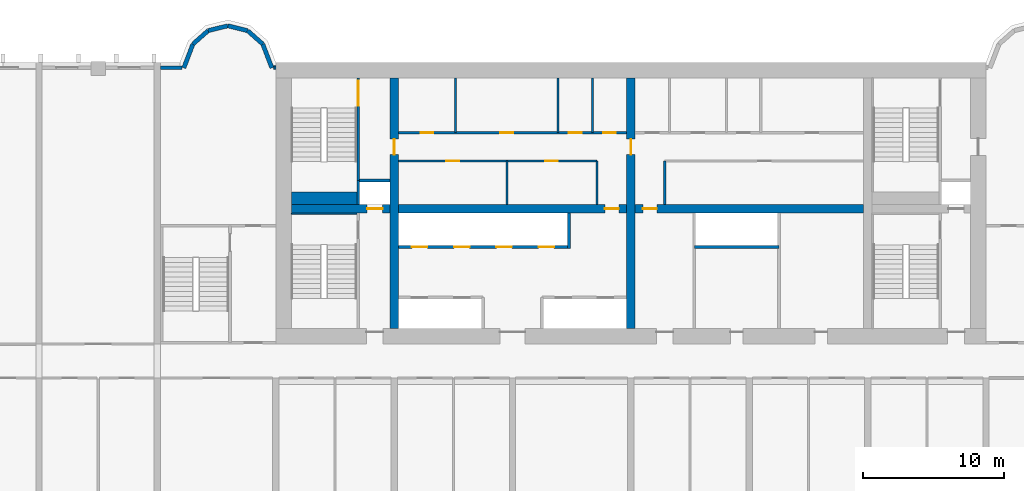
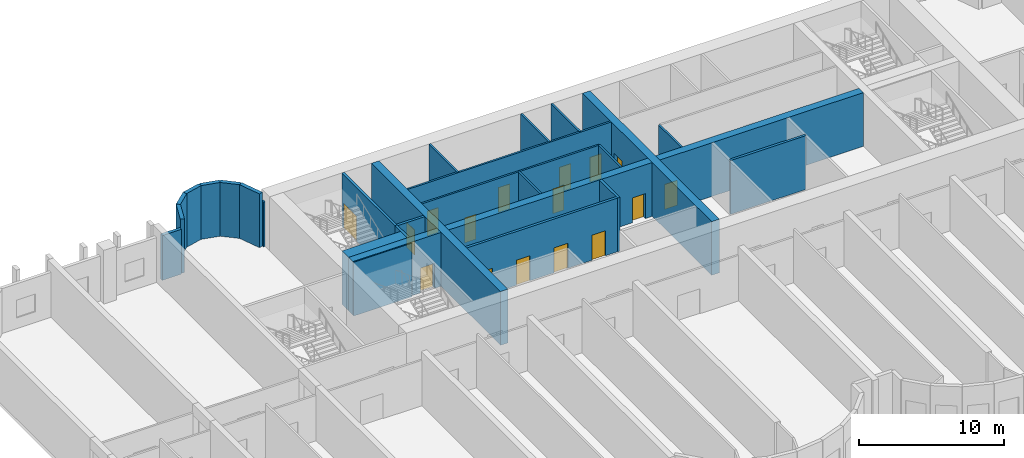
# One storey, part 5 of 10: 29 walls, 16 doors, 16 openings.
"""IFC4 building model written with IfcOpenShell, lengths in metres."""

from ifc_helpers import new_model, si_unit, direction, frame, frame_2d, origin, place, context, subcontext, project, spatial, rectangle, extrude, source, transform, mapped, material, layer, layer_set, type_object, element, fill, save


model = new_model("IFC4")

# Units and contexts
model_context = context("Model", 3, precision=1e-05, world=origin(), true_north=direction((0.0, 1.0)))
body_context = subcontext(model_context, "Body", "Model", "MODEL_VIEW")
ifc_project = project(units=[si_unit("LENGTHUNIT", "METRE"), si_unit("AREAUNIT", "SQUARE_METRE"), si_unit("VOLUMEUNIT", "CUBIC_METRE"), si_unit("PLANEANGLEUNIT", "RADIAN"), si_unit("MASSUNIT", "GRAM", prefix="KILO")], contexts=[model_context])

# Site, building, storey
site_placement = place(None, origin())
site = spatial("IfcSite", under=ifc_project, at=site_placement, CompositionType="ELEMENT")
building_placement = place(site_placement, origin())
building = spatial("IfcBuilding", under=site, at=building_placement, Name="Vanashikhar Sky Hotel", CompositionType="ELEMENT")
storey_placement = place(building_placement, frame((0.0, 0.0, 23.0)))
storey = spatial("IfcBuildingStorey", under=building, at=storey_placement, Name="L04", CompositionType="ELEMENT", Elevation=23.0)

# Wall, opening, door
ifc_material_1 = material(Name="Concrete M80", Category="concrete")
ifc_layer_1 = layer(ifc_material_1, 0.60009765625)
ifc_layer_set_1 = layer_set([ifc_layer_1], Name="RC core inner wall 600 Concrete M80")
wall_type_1 = type_object("IfcWallType", Name="RC core inner wall 600 Concrete M80", PredefinedType="SHEAR", material=ifc_layer_set_1)
shared_shape_1 = source(origin(), body_context, "Body", "SweptSolid", [
    extrude(rectangle(XDim=17.7998046875, YDim=0.60009765625, at=frame_2d((8.89990234375, 0.0))), origin(), (0.0, 0.0, 1.0), 4.52001953125),
])
wall_1_placement = place(storey_placement, frame((33.60009765625, 23.10009765625, 0.0), z_axis=(0.0, 0.0, 1.0), x_axis=(0.0, 1.0, 0.0)))
wall_1 = element("IfcWall", 1, at=wall_1_placement, inside=storey, type_object=wall_type_1, Name="KW-L04-KX1", PredefinedType="SHEAR", context=body_context, shape_type="MappedRepresentation", body=[
    mapped(shared_shape_1, transform((0.0, 0.0, 0.0), scale=1.0)),
])
shared_shape_2 = source(origin(), body_context, "Body", "SweptSolid", [
    extrude(rectangle(XDim=1.10009765625, YDim=2.10009765625, at=frame_2d((0.550048828125, 1.050048828125))), frame((0.0, 0.31005859375, 0.0), z_axis=(0.0, -1.0, 0.0), x_axis=(1.0, 0.0, 0.0)), (0.0, 0.0, 1.0), 0.6201171875),
])
opening_1_placement = place(wall_1_placement, frame((12.35009765625, 0.0, 0.0)))
opening_1 = element("IfcOpeningElement", 2, at=opening_1_placement, cuts=wall_1, Name="Opening DC-4-C", PredefinedType="OPENING", context=body_context, shape_type="MappedRepresentation", body=[
    mapped(shared_shape_2, transform((0.0, 0.0, 0.0), scale=1.0)),
])
ifc_material_2 = material(Name="Steel", Category="steel")
door_type_1 = type_object("IfcDoorType", Name="Service door 1100 FD60", OperationType="NOTDEFINED", PredefinedType="DOOR", material=ifc_material_2)
shared_shape_3 = source(origin(), body_context, "Body", "SweptSolid", [
    extrude(rectangle(XDim=1.10009765625, YDim=2.10009765625, at=frame_2d((0.550048828125, 1.050048828125))), frame((0.0, 0.02490234375, 0.0), z_axis=(0.0, -1.0, 0.0), x_axis=(1.0, 0.0, 0.0)), (0.0, 0.0, 1.0), 0.050048828125),
])
door_1_placement = place(opening_1_placement, origin())
door_1 = element("IfcDoor", 3, at=door_1_placement, inside=storey, type_object=door_type_1, Name="Service door 1100 FD60", OperationType="SINGLE_SWING_LEFT", OverallHeight=2.10009765625, OverallWidth=1.10009765625, PredefinedType="DOOR", context=body_context, shape_type="MappedRepresentation", body=[
    mapped(shared_shape_3, transform((0.0, 0.0, 0.0), scale=1.0)),
])
fill(opening_1, door_1)

wall_2_placement = place(storey_placement, frame((50.39990234375, 23.10009765625, 0.0), z_axis=(0.0, 0.0, 1.0), x_axis=(0.0, 1.0, 0.0)))
wall_2 = element("IfcWall", 4, at=wall_2_placement, inside=storey, type_object=wall_type_1, Name="KW-L04-KX2", PredefinedType="SHEAR", context=body_context, shape_type="MappedRepresentation", body=[
    mapped(shared_shape_1, transform((0.0, 0.0, 0.0), scale=1.0)),
])
opening_2_placement = place(wall_2_placement, frame((12.35009765625, 0.0, 0.0)))
opening_2 = element("IfcOpeningElement", 5, at=opening_2_placement, cuts=wall_2, Name="Opening DC-4-C", PredefinedType="OPENING", context=body_context, shape_type="MappedRepresentation", body=[
    mapped(shared_shape_2, transform((0.0, 0.0, 0.0), scale=1.0)),
])
door_2_placement = place(opening_2_placement, origin())
door_2 = element("IfcDoor", 6, at=door_2_placement, inside=storey, type_object=door_type_1, Name="Service door 1100 FD60", OperationType="SINGLE_SWING_RIGHT", OverallHeight=2.10009765625, OverallWidth=1.10009765625, PredefinedType="DOOR", context=body_context, shape_type="MappedRepresentation", body=[
    mapped(shared_shape_3, transform((0.0, 0.0, 0.0), scale=1.0)),
])
fill(opening_2, door_2)

shared_shape_4 = source(origin(), body_context, "Body", "SweptSolid", [
    extrude(rectangle(XDim=7.0, YDim=0.60009765625, at=frame_2d((3.5, 0.0))), origin(), (0.0, 0.0, 1.0), 4.52001953125),
])
wall_3_placement = place(storey_placement, frame((26.300048828125, 31.60009765625, 0.0), z_axis=(0.0, 0.0, 1.0), x_axis=(1.0, 0.0, 0.0)))
wall_3 = element("IfcWall", 7, at=wall_3_placement, inside=storey, type_object=wall_type_1, Name="KW-L04-KY1", PredefinedType="SHEAR", context=body_context, shape_type="MappedRepresentation", body=[
    mapped(shared_shape_4, transform((0.0, 0.0, 0.0), scale=1.0)),
])
opening_3_placement = place(wall_3_placement, frame((5.375, 0.0, 0.0)))
opening_3 = element("IfcOpeningElement", 8, at=opening_3_placement, cuts=wall_3, Name="Opening LD", PredefinedType="OPENING", context=body_context, shape_type="MappedRepresentation", body=[
    mapped(shared_shape_2, transform((0.0, 0.0, 0.0), scale=1.0)),
])
ifc_material_3 = material(Name="Stainless steel", Category="steel")
door_type_2 = type_object("IfcDoorType", Name="Lift landing door 1100", OperationType="NOTDEFINED", PredefinedType="DOOR", material=ifc_material_3)
door_3_placement = place(opening_3_placement, origin())
door_3 = element("IfcDoor", 9, at=door_3_placement, inside=storey, type_object=door_type_2, Name="Lift landing door 1100", OperationType="SLIDING_TO_RIGHT", OverallHeight=2.10009765625, OverallWidth=1.10009765625, PredefinedType="DOOR", context=body_context, shape_type="MappedRepresentation", body=[
    mapped(shared_shape_3, transform((0.0, 0.0, 0.0), scale=1.0)),
])
fill(opening_3, door_3)

shared_shape_5 = source(origin(), body_context, "Body", "SweptSolid", [
    extrude(rectangle(XDim=16.2001953125, YDim=0.60009765625, at=frame_2d((8.10009765625, 0.0))), origin(), (0.0, 0.0, 1.0), 4.52001953125),
])
wall_4_placement = place(storey_placement, frame((33.89990234375, 31.60009765625, 0.0), z_axis=(0.0, 0.0, 1.0), x_axis=(1.0, 0.0, 0.0)))
wall_4 = element("IfcWall", 10, at=wall_4_placement, inside=storey, type_object=wall_type_1, Name="KW-L04-KY2", PredefinedType="SHEAR", context=body_context, shape_type="MappedRepresentation", body=[
    mapped(shared_shape_5, transform((0.0, 0.0, 0.0), scale=1.0)),
])
shared_shape_6 = source(origin(), body_context, "Body", "SweptSolid", [
    extrude(rectangle(XDim=1.0, YDim=2.10009765625, at=frame_2d((0.5, 1.050048828125))), frame((0.0, 0.31005859375, 0.0), z_axis=(0.0, -1.0, 0.0), x_axis=(1.0, 0.0, 0.0)), (0.0, 0.0, 1.0), 0.6201171875),
])
opening_4_placement = place(wall_4_placement, frame((14.64990234375, 0.0, 0.0)))
opening_4 = element("IfcOpeningElement", 11, at=opening_4_placement, cuts=wall_4, Name="Opening DC-4", PredefinedType="OPENING", context=body_context, shape_type="MappedRepresentation", body=[
    mapped(shared_shape_6, transform((0.0, 0.0, 0.0), scale=1.0)),
])
door_type_3 = type_object("IfcDoorType", Name="Service door 1000 FD60", OperationType="NOTDEFINED", PredefinedType="DOOR", material=ifc_material_2)
shared_shape_7 = source(origin(), body_context, "Body", "SweptSolid", [
    extrude(rectangle(XDim=1.0, YDim=2.10009765625, at=frame_2d((0.5, 1.050048828125))), frame((0.0, 0.02490234375, 0.0), z_axis=(0.0, -1.0, 0.0), x_axis=(1.0, 0.0, 0.0)), (0.0, 0.0, 1.0), 0.050048828125),
])
door_4_placement = place(opening_4_placement, origin())
door_4 = element("IfcDoor", 12, at=door_4_placement, inside=storey, type_object=door_type_3, Name="Service door 1000 FD60", OperationType="SINGLE_SWING_RIGHT", OverallHeight=2.10009765625, OverallWidth=1.0, PredefinedType="DOOR", context=body_context, shape_type="MappedRepresentation", body=[
    mapped(shared_shape_7, transform((0.0, 0.0, 0.0), scale=1.0)),
])
fill(opening_4, door_4)

shared_shape_8 = source(origin(), body_context, "Body", "SweptSolid", [
    extrude(rectangle(XDim=16.199951171875, YDim=0.60009765625, at=frame_2d((8.10009765625, 0.0))), origin(), (0.0, 0.0, 1.0), 4.52001953125),
])
wall_5_placement = place(storey_placement, frame((50.699951171875, 31.60009765625, 0.0), z_axis=(0.0, 0.0, 1.0), x_axis=(1.0, 0.0, 0.0)))
wall_5 = element("IfcWall", 13, at=wall_5_placement, inside=storey, type_object=wall_type_1, Name="KW-L04-KY3", PredefinedType="SHEAR", context=body_context, shape_type="MappedRepresentation", body=[
    mapped(shared_shape_8, transform((0.0, 0.0, 0.0), scale=1.0)),
])
opening_5_placement = place(wall_5_placement, frame((0.550048828125, 0.0, 0.0)))
opening_5 = element("IfcOpeningElement", 14, at=opening_5_placement, cuts=wall_5, Name="Opening DC-4", PredefinedType="OPENING", context=body_context, shape_type="MappedRepresentation", body=[
    mapped(shared_shape_6, transform((0.0, 0.0, 0.0), scale=1.0)),
])
door_5_placement = place(opening_5_placement, origin())
door_5 = element("IfcDoor", 15, at=door_5_placement, inside=storey, type_object=door_type_3, Name="Service door 1000 FD60", OperationType="SINGLE_SWING_RIGHT", OverallHeight=2.10009765625, OverallWidth=1.0, PredefinedType="DOOR", context=body_context, shape_type="MappedRepresentation", body=[
    mapped(shared_shape_7, transform((0.0, 0.0, 0.0), scale=1.0)),
])
fill(opening_5, door_5)

# Walls
ifc_material_4 = material(Name="Concrete M50", Category="concrete")
ifc_layer_2 = layer(ifc_material_4, 0.300048828125)
ifc_layer_set_2 = layer_set([ifc_layer_2], Name="Lobe wall 300")
wall_type_2 = type_object("IfcWallType", Name="Lobe wall 300", PredefinedType="SOLIDWALL", material=ifc_layer_set_2)
shared_shape_9 = source(origin(), body_context, "Body", "SweptSolid", [
    extrude(rectangle(XDim=1.81201171875, YDim=0.300048828125, at=frame_2d((0.906005859375, 0.0))), origin(), (0.0, 0.0, 1.0), 4.52001953125),
])
wall_6_placement = place(storey_placement, frame((19.323486328125, 43.2919921875, 0.0), z_axis=(0.0, 0.0, 1.0), x_axis=(-0.357877270961, -0.93376863244, 0.0)))
element("IfcWall", 16, at=wall_6_placement, inside=storey, type_object=wall_type_2, Name="Lobe wall", PredefinedType="SOLIDWALL", context=body_context, shape_type="MappedRepresentation", body=[
    mapped(shared_shape_9, transform((0.0, 0.0, 0.0), scale=1.0)),
])
shared_shape_10 = source(origin(), body_context, "Body", "SweptSolid", [
    extrude(rectangle(XDim=1.43994140625, YDim=0.300048828125, at=frame_2d((0.719970703125, 0.0))), origin(), (0.0, 0.0, 1.0), 4.52001953125),
])
wall_7_placement = place(storey_placement, frame((20.40283203125, 44.2451171875, 0.0), z_axis=(0.0, 0.0, 1.0), x_axis=(-0.74957555648, -0.661918790432, 0.0)))
element("IfcWall", 17, at=wall_7_placement, inside=storey, type_object=wall_type_2, Name="Lobe wall", PredefinedType="SOLIDWALL", context=body_context, shape_type="MappedRepresentation", body=[
    mapped(shared_shape_10, transform((0.0, 0.0, 0.0), scale=1.0)),
])
shared_shape_11 = source(origin(), body_context, "Body", "SweptSolid", [
    extrude(rectangle(XDim=1.438720703125, YDim=0.300048828125, at=frame_2d((0.71923828125, 0.0))), origin(), (0.0, 0.0, 1.0), 4.52001953125),
])
wall_8_placement = place(storey_placement, frame((21.800048828125, 44.588134765625, 0.0), z_axis=(0.0, 0.0, 1.0), x_axis=(-0.971161932466, -0.238420848351, 0.0)))
element("IfcWall", 18, at=wall_8_placement, inside=storey, type_object=wall_type_2, Name="Lobe wall", PredefinedType="SOLIDWALL", context=body_context, shape_type="MappedRepresentation", body=[
    mapped(shared_shape_11, transform((0.0, 0.0, 0.0), scale=1.0)),
])
ifc_layer_3 = layer(ifc_material_4, 0.25)
ifc_layer_set_3 = layer_set([ifc_layer_3], Name="Rear and end board-marked wall 250")
wall_type_3 = type_object("IfcWallType", Name="Rear and end board-marked wall 250", PredefinedType="SOLIDWALL", material=ifc_layer_set_3)
shared_shape_12 = source(origin(), body_context, "Body", "SweptSolid", [
    extrude(rectangle(XDim=0.137939453125, YDim=0.25, at=frame_2d((0.06884765625, 0.0))), origin(), (0.0, 0.0, 1.0), 3.77001953125),
])
wall_9_placement = place(storey_placement, frame((25.199951171875, 41.625, 0.0), z_axis=(0.0, 0.0, 1.0), x_axis=(-1.0, 0.0, 0.0)))
element("IfcWall", 19, at=wall_9_placement, inside=storey, type_object=wall_type_3, Name="Podium external wall", PredefinedType="SOLIDWALL", context=body_context, shape_type="MappedRepresentation", body=[
    mapped(shared_shape_12, transform((0.0, 0.0, 0.0), scale=1.0)),
])
shared_shape_13 = source(origin(), body_context, "Body", "SweptSolid", [
    extrude(rectangle(XDim=1.811767578125, YDim=0.300048828125, at=frame_2d((0.90576171875, 0.0))), origin(), (0.0, 0.0, 1.0), 4.52001953125),
])
wall_10_placement = place(storey_placement, frame((24.9248046875, 41.60009765625, 0.0), z_axis=(0.0, 0.0, 1.0), x_axis=(-0.357759776872, 0.933813654886, 0.0)))
element("IfcWall", 20, at=wall_10_placement, inside=storey, type_object=wall_type_2, Name="Lobe wall", PredefinedType="SOLIDWALL", context=body_context, shape_type="MappedRepresentation", body=[
    mapped(shared_shape_13, transform((0.0, 0.0, 0.0), scale=1.0)),
])
shared_shape_14 = source(origin(), body_context, "Body", "SweptSolid", [
    extrude(rectangle(XDim=1.440185546875, YDim=0.300048828125, at=frame_2d((0.72021484375, 0.0))), origin(), (0.0, 0.0, 1.0), 4.52001953125),
])
wall_11_placement = place(storey_placement, frame((24.276611328125, 43.2919921875, 0.0), z_axis=(0.0, 0.0, 1.0), x_axis=(-0.749649827867, 0.661834673902, 0.0)))
element("IfcWall", 21, at=wall_11_placement, inside=storey, type_object=wall_type_2, Name="Lobe wall", PredefinedType="SOLIDWALL", context=body_context, shape_type="MappedRepresentation", body=[
    mapped(shared_shape_14, transform((0.0, 0.0, 0.0), scale=1.0)),
])
shared_shape_15 = source(origin(), body_context, "Body", "SweptSolid", [
    extrude(rectangle(XDim=1.4384765625, YDim=0.300048828125, at=frame_2d((0.71923828125, 0.0))), origin(), (0.0, 0.0, 1.0), 4.52001953125),
])
wall_12_placement = place(storey_placement, frame((23.197021484375, 44.2451171875, 0.0), z_axis=(0.0, 0.0, 1.0), x_axis=(-0.971152283879, 0.238460146601, 0.0)))
element("IfcWall", 22, at=wall_12_placement, inside=storey, type_object=wall_type_2, Name="Lobe wall", PredefinedType="SOLIDWALL", context=body_context, shape_type="MappedRepresentation", body=[
    mapped(shared_shape_15, transform((0.0, 0.0, 0.0), scale=1.0)),
])
shared_shape_16 = source(origin(), body_context, "Body", "SweptSolid", [
    extrude(rectangle(XDim=1.512939453125, YDim=0.25, at=frame_2d((0.75634765625, 0.0))), origin(), (0.0, 0.0, 1.0), 3.77001953125),
])
wall_13_placement = place(storey_placement, frame((18.537841796875, 41.625, 0.0), z_axis=(0.0, 0.0, 1.0), x_axis=(-1.0, 0.0, 0.0)))
element("IfcWall", 23, at=wall_13_placement, inside=storey, type_object=wall_type_3, Name="Podium external wall", PredefinedType="SOLIDWALL", context=body_context, shape_type="MappedRepresentation", body=[
    mapped(shared_shape_16, transform((0.0, 0.0, 0.0), scale=1.0)),
])

# Wall, opening, door
ifc_layer_4 = layer(ifc_material_4, 0.199951171875)
ifc_layer_set_4 = layer_set([ifc_layer_4], Name="Stair wall 200")
wall_type_4 = type_object("IfcWallType", Name="Stair wall 200", PredefinedType="SOLIDWALL", material=ifc_layer_set_4)
shared_shape_17 = source(origin(), body_context, "Body", "SweptSolid", [
    extrude(rectangle(XDim=7.2998046875, YDim=0.199951171875, at=frame_2d((3.64990234375, 0.0))), origin(), (0.0, 0.0, 1.0), 4.52001953125),
])
wall_14_placement = place(storey_placement, frame((31.050048828125, 33.60009765625, 0.0), z_axis=(0.0, 0.0, 1.0), x_axis=(0.0, 1.0, 0.0)))
wall_14 = element("IfcWall", 24, at=wall_14_placement, inside=storey, type_object=wall_type_4, Name="Stair wall 200", PredefinedType="SOLIDWALL", context=body_context, shape_type="MappedRepresentation", body=[
    mapped(shared_shape_17, transform((0.0, 0.0, 0.0), scale=1.0)),
])
shared_shape_18 = source(origin(), body_context, "Body", "SweptSolid", [
    extrude(rectangle(XDim=1.800048828125, YDim=2.10009765625, at=frame_2d((0.89990234375, 1.050048828125))), frame((0.0, 0.10986328125, 0.0), z_axis=(0.0, -1.0, 0.0), x_axis=(1.0, 0.0, 0.0)), (0.0, 0.0, 1.0), 0.219970703125),
])
opening_6_placement = place(wall_14_placement, frame((5.300048828125, 0.0, 0.0)))
opening_6 = element("IfcOpeningElement", 25, at=opening_6_placement, cuts=wall_14, Name="Opening DC-1-A", PredefinedType="OPENING", context=body_context, shape_type="MappedRepresentation", body=[
    mapped(shared_shape_18, transform((0.0, 0.0, 0.0), scale=1.0)),
])
door_type_4 = type_object("IfcDoorType", Name="Stair door 1800 FD120", OperationType="NOTDEFINED", PredefinedType="DOOR", material=ifc_material_2)
shared_shape_19 = source(origin(), body_context, "Body", "SweptSolid", [
    extrude(rectangle(XDim=1.800048828125, YDim=2.10009765625, at=frame_2d((0.89990234375, 1.050048828125))), frame((0.0, 0.02490234375, 0.0), z_axis=(0.0, -1.0, 0.0), x_axis=(1.0, 0.0, 0.0)), (0.0, 0.0, 1.0), 0.050048828125),
])
door_6_placement = place(opening_6_placement, origin())
door_6 = element("IfcDoor", 26, at=door_6_placement, inside=storey, type_object=door_type_4, Name="Stair door 1800 FD120", OperationType="SINGLE_SWING_LEFT", OverallHeight=2.10009765625, OverallWidth=1.800048828125, PredefinedType="DOOR", context=body_context, shape_type="MappedRepresentation", body=[
    mapped(shared_shape_19, transform((0.0, 0.0, 0.0), scale=1.0)),
])
fill(opening_6, door_6)

# Walls
ifc_layer_5 = layer(ifc_material_4, 0.10009765625)
ifc_layer_set_5 = layer_set([ifc_layer_5], Name="Stair infill wall 100")
wall_type_5 = type_object("IfcWallType", Name="Stair infill wall 100", PredefinedType="SOLIDWALL", material=ifc_layer_set_5)
shared_shape_20 = source(origin(), body_context, "Body", "SweptSolid", [
    extrude(rectangle(XDim=4.64990234375, YDim=0.10009765625, at=frame_2d((2.324951171875, 0.0))), origin(), (0.0, 0.0, 1.0), 4.52001953125),
])
wall_15_placement = place(storey_placement, frame((26.300048828125, 31.25, 0.0), z_axis=(0.0, 0.0, 1.0), x_axis=(1.0, 0.0, 0.0)))
element("IfcWall", 27, at=wall_15_placement, inside=storey, type_object=wall_type_5, Name="Stair infill wall 100", PredefinedType="SOLIDWALL", context=body_context, shape_type="MappedRepresentation", body=[
    mapped(shared_shape_20, transform((0.0, 0.0, 0.0), scale=1.0)),
])
ifc_layer_6 = layer(ifc_material_4, 0.89990234375)
ifc_layer_set_6 = layer_set([ifc_layer_6], Name="Stair infill wall 900")
wall_type_6 = type_object("IfcWallType", Name="Stair infill wall 900", PredefinedType="SOLIDWALL", material=ifc_layer_set_6)
shared_shape_21 = source(origin(), body_context, "Body", "SweptSolid", [
    extrude(rectangle(XDim=4.64990234375, YDim=0.89990234375, at=frame_2d((2.324951171875, 0.0))), origin(), (0.0, 0.0, 1.0), 4.52001953125),
])
wall_16_placement = place(storey_placement, frame((26.300048828125, 32.35009765625, 0.0), z_axis=(0.0, 0.0, 1.0), x_axis=(1.0, 0.0, 0.0)))
element("IfcWall", 28, at=wall_16_placement, inside=storey, type_object=wall_type_6, Name="Stair infill wall 900", PredefinedType="SOLIDWALL", context=body_context, shape_type="MappedRepresentation", body=[
    mapped(shared_shape_21, transform((0.0, 0.0, 0.0), scale=1.0)),
])
ifc_material_5 = material(Name="Concrete M40", Category="concrete")
ifc_layer_7 = layer(ifc_material_5, 0.199951171875)
ifc_layer_set_7 = layer_set([ifc_layer_7], Name="Shaft wall 200")
wall_type_7 = type_object("IfcWallType", Name="Shaft wall 200", PredefinedType="SOLIDWALL", material=ifc_layer_set_7)
shared_shape_22 = source(origin(), body_context, "Body", "SweptSolid", [
    extrude(rectangle(XDim=6.0, YDim=0.199951171875, at=frame_2d((3.0, 0.0))), origin(), (0.0, 0.0, 1.0), 4.52001953125),
])
wall_17_placement = place(storey_placement, frame((60.89990234375, 28.89990234375, 0.0), z_axis=(0.0, 0.0, 1.0), x_axis=(-1.0, 0.0, 0.0)))
element("IfcWall", 29, at=wall_17_placement, inside=storey, type_object=wall_type_7, Name="Shaft wall 200", PredefinedType="SOLIDWALL", context=body_context, shape_type="MappedRepresentation", body=[
    mapped(shared_shape_22, transform((0.0, 0.0, 0.0), scale=1.0)),
])

# Wall, openings, doors
shared_shape_23 = source(origin(), body_context, "Body", "SweptSolid", [
    extrude(rectangle(XDim=12.0, YDim=0.199951171875, at=frame_2d((6.0, 0.0))), origin(), (0.0, 0.0, 1.0), 4.52001953125),
])
wall_18_placement = place(storey_placement, frame((33.89990234375, 28.89990234375, 0.0), z_axis=(0.0, 0.0, 1.0), x_axis=(1.0, 0.0, 0.0)))
wall_18 = element("IfcWall", 30, at=wall_18_placement, inside=storey, type_object=wall_type_7, Name="Shaft wall 200", PredefinedType="SOLIDWALL", context=body_context, shape_type="MappedRepresentation", body=[
    mapped(shared_shape_23, transform((0.0, 0.0, 0.0), scale=1.0)),
])
shared_shape_24 = source(origin(), body_context, "Body", "SweptSolid", [
    extrude(rectangle(XDim=1.10009765625, YDim=2.10009765625, at=frame_2d((0.550048828125, 1.050048828125))), frame((0.0, 0.10986328125, 0.0), z_axis=(0.0, -1.0, 0.0), x_axis=(1.0, 0.0, 0.0)), (0.0, 0.0, 1.0), 0.219970703125),
])
opening_7_placement = place(wall_18_placement, frame((0.949951171875, 0.0, 0.0)))
opening_7 = element("IfcOpeningElement", 31, at=opening_7_placement, cuts=wall_18, Name="Opening LD", PredefinedType="OPENING", context=body_context, shape_type="MappedRepresentation", body=[
    mapped(shared_shape_24, transform((0.0, 0.0, 0.0), scale=1.0)),
])
opening_8_placement = place(wall_18_placement, frame((3.949951171875, 0.0, 0.0)))
opening_8 = element("IfcOpeningElement", 32, at=opening_8_placement, cuts=wall_18, Name="Opening LD", PredefinedType="OPENING", context=body_context, shape_type="MappedRepresentation", body=[
    mapped(shared_shape_24, transform((0.0, 0.0, 0.0), scale=1.0)),
])
opening_9_placement = place(wall_18_placement, frame((6.949951171875, 0.0, 0.0)))
opening_9 = element("IfcOpeningElement", 33, at=opening_9_placement, cuts=wall_18, Name="Opening LD", PredefinedType="OPENING", context=body_context, shape_type="MappedRepresentation", body=[
    mapped(shared_shape_24, transform((0.0, 0.0, 0.0), scale=1.0)),
])
opening_10_placement = place(wall_18_placement, frame((9.949951171875, 0.0, 0.0)))
opening_10 = element("IfcOpeningElement", 34, at=opening_10_placement, cuts=wall_18, Name="Opening LD", PredefinedType="OPENING", context=body_context, shape_type="MappedRepresentation", body=[
    mapped(shared_shape_24, transform((0.0, 0.0, 0.0), scale=1.0)),
])
door_7_placement = place(opening_7_placement, origin())
door_7 = element("IfcDoor", 35, at=door_7_placement, inside=storey, type_object=door_type_2, Name="Lift landing door 1100", OperationType="SLIDING_TO_LEFT", OverallHeight=2.10009765625, OverallWidth=1.10009765625, PredefinedType="DOOR", context=body_context, shape_type="MappedRepresentation", body=[
    mapped(shared_shape_3, transform((0.0, 0.0, 0.0), scale=1.0)),
])
fill(opening_7, door_7)
door_8_placement = place(opening_8_placement, origin())
door_8 = element("IfcDoor", 36, at=door_8_placement, inside=storey, type_object=door_type_2, Name="Lift landing door 1100", OperationType="SLIDING_TO_RIGHT", OverallHeight=2.10009765625, OverallWidth=1.10009765625, PredefinedType="DOOR", context=body_context, shape_type="MappedRepresentation", body=[
    mapped(shared_shape_3, transform((0.0, 0.0, 0.0), scale=1.0)),
])
fill(opening_8, door_8)
door_9_placement = place(opening_9_placement, origin())
door_9 = element("IfcDoor", 37, at=door_9_placement, inside=storey, type_object=door_type_2, Name="Lift landing door 1100", OperationType="SLIDING_TO_LEFT", OverallHeight=2.10009765625, OverallWidth=1.10009765625, PredefinedType="DOOR", context=body_context, shape_type="MappedRepresentation", body=[
    mapped(shared_shape_3, transform((0.0, 0.0, 0.0), scale=1.0)),
])
fill(opening_9, door_9)
door_10_placement = place(opening_10_placement, origin())
door_10 = element("IfcDoor", 38, at=door_10_placement, inside=storey, type_object=door_type_2, Name="Lift landing door 1100", OperationType="SLIDING_TO_RIGHT", OverallHeight=2.10009765625, OverallWidth=1.10009765625, PredefinedType="DOOR", context=body_context, shape_type="MappedRepresentation", body=[
    mapped(shared_shape_3, transform((0.0, 0.0, 0.0), scale=1.0)),
])
fill(opening_10, door_10)

# Walls
shared_shape_25 = source(origin(), body_context, "Body", "SweptSolid", [
    extrude(rectangle(XDim=2.5, YDim=0.199951171875, at=frame_2d((1.25, 0.0))), origin(), (0.0, 0.0, 1.0), 4.52001953125),
])
wall_19_placement = place(storey_placement, frame((46.0, 28.800048828125, 0.0), z_axis=(0.0, 0.0, 1.0), x_axis=(0.0, 1.0, 0.0)))
element("IfcWall", 39, at=wall_19_placement, inside=storey, type_object=wall_type_7, Name="Shaft wall 200", PredefinedType="SOLIDWALL", context=body_context, shape_type="MappedRepresentation", body=[
    mapped(shared_shape_25, transform((0.0, 0.0, 0.0), scale=1.0)),
])
ifc_material_6 = material(Name="Gypsum board partition")
ifc_layer_8 = layer(ifc_material_6, 0.14990234375)
ifc_layer_set_8 = layer_set([ifc_layer_8], Name="Service partition 150")
wall_type_8 = type_object("IfcWallType", Name="Service partition 150", PredefinedType="PARTITIONING", material=ifc_layer_set_8)
shared_shape_26 = source(origin(), body_context, "Body", "SweptSolid", [
    extrude(rectangle(XDim=3.10009765625, YDim=0.14990234375, at=frame_2d((1.550048828125, 0.0))), origin(), (0.0, 0.0, 1.0), 4.52001953125),
])
for number, where, z_axis, x_axis, name in (
    (40, (48.0, 31.89990234375, 0.0), (0.0, 0.0, 1.0), (0.0, 1.0, 0.0), "Service partition 150"),
    (41, (41.614013671875, 31.89990234375, 0.0), (0.0, 0.0, 1.0), (0.0, 1.0, 0.0), "Service partition 150"),
    (42, (52.800048828125, 31.89990234375, 0.0), (0.0, 0.0, 1.0), (0.0, 1.0, 0.0), "Service partition 150"),
):
    element("IfcWall", number, at=place(storey_placement, frame(where, z_axis=z_axis, x_axis=x_axis)), inside=storey, type_object=wall_type_8, Name=name, PredefinedType="PARTITIONING", context=body_context, shape_type="MappedRepresentation", body=[
        mapped(shared_shape_26, transform((0.0, 0.0, 0.0), scale=1.0)),
    ])

# Wall, openings, doors
shared_shape_27 = source(origin(), body_context, "Body", "SweptSolid", [
    extrude(rectangle(XDim=14.10009765625, YDim=0.14990234375, at=frame_2d((7.050048828125, 0.0))), origin(), (0.0, 0.0, 1.0), 4.52001953125),
])
wall_20_placement = place(storey_placement, frame((33.89990234375, 35.0, 0.0), z_axis=(0.0, 0.0, 1.0), x_axis=(1.0, 0.0, 0.0)))
wall_20 = element("IfcWall", 43, at=wall_20_placement, inside=storey, type_object=wall_type_8, Name="Service partition 150", PredefinedType="PARTITIONING", context=body_context, shape_type="MappedRepresentation", body=[
    mapped(shared_shape_27, transform((0.0, 0.0, 0.0), scale=1.0)),
])
shared_shape_28 = source(origin(), body_context, "Body", "SweptSolid", [
    extrude(rectangle(XDim=0.89990234375, YDim=2.10009765625, at=frame_2d((0.449951171875, 1.050048828125))), frame((0.0, 0.0849609375, 0.0), z_axis=(0.0, -1.0, 0.0), x_axis=(1.0, 0.0, 0.0)), (0.0, 0.0, 1.0), 0.169921875),
])
opening_11_placement = place(wall_20_placement, frame((3.406982421875, 0.0, 0.0)))
opening_11 = element("IfcOpeningElement", 44, at=opening_11_placement, cuts=wall_20, Name="Opening DC-4-A", PredefinedType="OPENING", context=body_context, shape_type="MappedRepresentation", body=[
    mapped(shared_shape_28, transform((0.0, 0.0, 0.0), scale=1.0)),
])
opening_12_placement = place(wall_20_placement, frame((10.4189453125, 0.0, 0.0)))
opening_12 = element("IfcOpeningElement", 45, at=opening_12_placement, cuts=wall_20, Name="Opening DC-4-A", PredefinedType="OPENING", context=body_context, shape_type="MappedRepresentation", body=[
    mapped(shared_shape_28, transform((0.0, 0.0, 0.0), scale=1.0)),
])
door_type_5 = type_object("IfcDoorType", Name="Service door 900 FD60", OperationType="NOTDEFINED", PredefinedType="DOOR", material=ifc_material_2)
shared_shape_29 = source(origin(), body_context, "Body", "SweptSolid", [
    extrude(rectangle(XDim=0.89990234375, YDim=2.10009765625, at=frame_2d((0.449951171875, 1.050048828125))), frame((0.0, 0.02490234375, 0.0), z_axis=(0.0, -1.0, 0.0), x_axis=(1.0, 0.0, 0.0)), (0.0, 0.0, 1.0), 0.050048828125),
])
door_11_placement = place(opening_11_placement, origin())
door_11 = element("IfcDoor", 46, at=door_11_placement, inside=storey, type_object=door_type_5, Name="Service door 900 FD60", OperationType="SINGLE_SWING_LEFT", OverallHeight=2.10009765625, OverallWidth=0.89990234375, PredefinedType="DOOR", context=body_context, shape_type="MappedRepresentation", body=[
    mapped(shared_shape_29, transform((0.0, 0.0, 0.0), scale=1.0)),
])
fill(opening_11, door_11)
door_12_placement = place(opening_12_placement, origin())
door_12 = element("IfcDoor", 47, at=door_12_placement, inside=storey, type_object=door_type_5, Name="Service door 900 FD60", OperationType="SINGLE_SWING_RIGHT", OverallHeight=2.10009765625, OverallWidth=0.89990234375, PredefinedType="DOOR", context=body_context, shape_type="MappedRepresentation", body=[
    mapped(shared_shape_29, transform((0.0, 0.0, 0.0), scale=1.0)),
])
fill(opening_12, door_12)

shared_shape_30 = source(origin(), body_context, "Body", "SweptSolid", [
    extrude(rectangle(XDim=16.2001953125, YDim=0.14990234375, at=frame_2d((8.10009765625, 0.0))), origin(), (0.0, 0.0, 1.0), 4.52001953125),
])
wall_21_placement = place(storey_placement, frame((33.89990234375, 37.0, 0.0), z_axis=(0.0, 0.0, 1.0), x_axis=(1.0, 0.0, 0.0)))
wall_21 = element("IfcWall", 48, at=wall_21_placement, inside=storey, type_object=wall_type_8, Name="Service partition 150", PredefinedType="PARTITIONING", context=body_context, shape_type="MappedRepresentation", body=[
    mapped(shared_shape_30, transform((0.0, 0.0, 0.0), scale=1.0)),
])
opening_13_placement = place(wall_21_placement, frame((1.574951171875, 0.0, 0.0)))
opening_13 = element("IfcOpeningElement", 49, at=opening_13_placement, cuts=wall_21, Name="Opening DC-4-A", PredefinedType="OPENING", context=body_context, shape_type="MappedRepresentation", body=[
    mapped(shared_shape_28, transform((0.0, 0.0, 0.0), scale=1.0)),
])
opening_14_placement = place(wall_21_placement, frame((7.2451171875, 0.0, 0.0)))
opening_14 = element("IfcOpeningElement", 50, at=opening_14_placement, cuts=wall_21, Name="Opening DC-4-A", PredefinedType="OPENING", context=body_context, shape_type="MappedRepresentation", body=[
    mapped(shared_shape_28, transform((0.0, 0.0, 0.0), scale=1.0)),
])
opening_15_placement = place(wall_21_placement, frame((12.10498046875, 0.0, 0.0)))
opening_15 = element("IfcOpeningElement", 51, at=opening_15_placement, cuts=wall_21, Name="Opening DC-4-A", PredefinedType="OPENING", context=body_context, shape_type="MappedRepresentation", body=[
    mapped(shared_shape_28, transform((0.0, 0.0, 0.0), scale=1.0)),
])
opening_16_placement = place(wall_21_placement, frame((14.534912109375, 0.0, 0.0)))
opening_16 = element("IfcOpeningElement", 52, at=opening_16_placement, cuts=wall_21, Name="Opening DC-4-A", PredefinedType="OPENING", context=body_context, shape_type="MappedRepresentation", body=[
    mapped(shared_shape_28, transform((0.0, 0.0, 0.0), scale=1.0)),
])
door_13_placement = place(opening_13_placement, origin())
door_13 = element("IfcDoor", 53, at=door_13_placement, inside=storey, type_object=door_type_5, Name="Service door 900 FD60", OperationType="SINGLE_SWING_RIGHT", OverallHeight=2.10009765625, OverallWidth=0.89990234375, PredefinedType="DOOR", context=body_context, shape_type="MappedRepresentation", body=[
    mapped(shared_shape_29, transform((0.0, 0.0, 0.0), scale=1.0)),
])
fill(opening_13, door_13)
door_14_placement = place(opening_14_placement, origin())
door_14 = element("IfcDoor", 54, at=door_14_placement, inside=storey, type_object=door_type_5, Name="Service door 900 FD60", OperationType="SINGLE_SWING_RIGHT", OverallHeight=2.10009765625, OverallWidth=0.89990234375, PredefinedType="DOOR", context=body_context, shape_type="MappedRepresentation", body=[
    mapped(shared_shape_29, transform((0.0, 0.0, 0.0), scale=1.0)),
])
fill(opening_14, door_14)
door_15_placement = place(opening_15_placement, origin())
door_15 = element("IfcDoor", 55, at=door_15_placement, inside=storey, type_object=door_type_5, Name="Service door 900 FD60", OperationType="SINGLE_SWING_RIGHT", OverallHeight=2.10009765625, OverallWidth=0.89990234375, PredefinedType="DOOR", context=body_context, shape_type="MappedRepresentation", body=[
    mapped(shared_shape_29, transform((0.0, 0.0, 0.0), scale=1.0)),
])
fill(opening_15, door_15)
door_16_placement = place(opening_16_placement, origin())
door_16 = element("IfcDoor", 56, at=door_16_placement, inside=storey, type_object=door_type_5, Name="Service door 900 FD60", OperationType="SINGLE_SWING_LEFT", OverallHeight=2.10009765625, OverallWidth=0.89990234375, PredefinedType="DOOR", context=body_context, shape_type="MappedRepresentation", body=[
    mapped(shared_shape_29, transform((0.0, 0.0, 0.0), scale=1.0)),
])
fill(opening_16, door_16)

# Walls
shared_shape_31 = source(origin(), body_context, "Body", "SweptSolid", [
    extrude(rectangle(XDim=3.89990234375, YDim=0.14990234375, at=frame_2d((1.949951171875, 0.0))), origin(), (0.0, 0.0, 1.0), 4.52001953125),
])
for number, where, z_axis, x_axis, name in (
    (57, (37.949951171875, 37.0, 0.0), (0.0, 0.0, 1.0), (0.0, 1.0, 0.0), "Service partition 150"),
    (58, (45.239990234375, 37.0, 0.0), (0.0, 0.0, 1.0), (0.0, 1.0, 0.0), "Service partition 150"),
    (59, (47.669921875, 37.0, 0.0), (0.0, 0.0, 1.0), (0.0, 1.0, 0.0), "Service partition 150"),
):
    element("IfcWall", number, at=place(storey_placement, frame(where, z_axis=z_axis, x_axis=x_axis)), inside=storey, type_object=wall_type_8, Name=name, PredefinedType="PARTITIONING", context=body_context, shape_type="MappedRepresentation", body=[
        mapped(shared_shape_31, transform((0.0, 0.0, 0.0), scale=1.0)),
    ])
shared_shape_32 = source(origin(), body_context, "Body", "SweptSolid", [
    extrude(rectangle(XDim=1.7001953125, YDim=0.199951171875, at=frame_2d((0.85009765625, 0.0))), origin(), (0.0, 0.0, 1.0), 4.52001953125),
])
wall_22_placement = place(storey_placement, frame((31.050048828125, 31.89990234375, 0.0), z_axis=(0.0, 0.0, 1.0), x_axis=(0.0, 1.0, 0.0)))
element("IfcWall", 60, at=wall_22_placement, inside=storey, type_object=wall_type_7, Name="Shaft wall 200", PredefinedType="SOLIDWALL", context=body_context, shape_type="MappedRepresentation", body=[
    mapped(shared_shape_32, transform((0.0, 0.0, 0.0), scale=1.0)),
])
shared_shape_33 = source(origin(), body_context, "Body", "SweptSolid", [
    extrude(rectangle(XDim=2.150146484375, YDim=0.199951171875, at=frame_2d((1.0751953125, 0.0))), origin(), (0.0, 0.0, 1.0), 4.52001953125),
])
wall_23_placement = place(storey_placement, frame((31.14990234375, 33.60009765625, 0.0), z_axis=(0.0, 0.0, 1.0), x_axis=(1.0, 0.0, 0.0)))
element("IfcWall", 61, at=wall_23_placement, inside=storey, type_object=wall_type_7, Name="Shaft wall 200", PredefinedType="SOLIDWALL", context=body_context, shape_type="MappedRepresentation", body=[
    mapped(shared_shape_33, transform((0.0, 0.0, 0.0), scale=1.0)),
])

save(model, "model.ifc")
